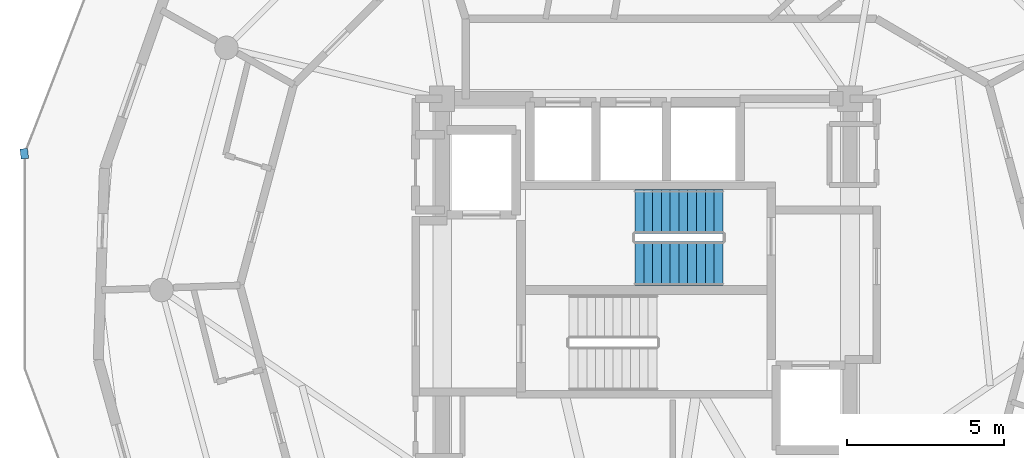
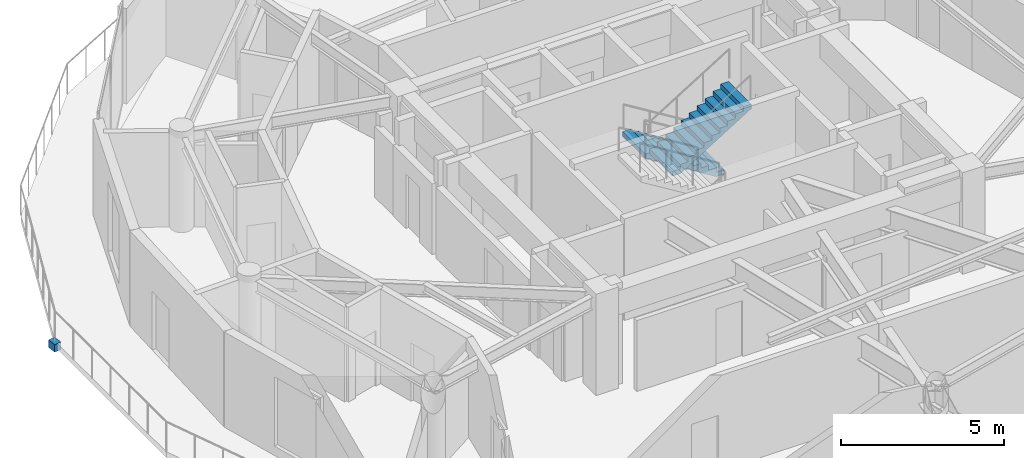
# One storey, part 14 of 16: 2 stair flights, 1 discrete accessory, 1 element without a shape of its own.
"""IFC4 building model written with IfcOpenShell, lengths in metres."""

import ifcopenshell
import ifcopenshell.guid

model = None  # the IFC model being written
_history = None  # IfcOwnerHistory: only IFC2X3 demands one
_inside = {}  # id of a spatial element -> (the spatial element, [elements in it])
_under = {}  # id of a project, library or spatial element -> (it, [spatial elements below it])
_declared = {}  # id of a project -> (the project, [libraries it declares])
_typed = {}  # id of a type object -> (the type object, [elements of that type])
_made_of = {}  # id of a material, layer set ... -> (it, [elements and type objects made of it])


def new_model(schema):
    """Start an empty IFC model of exactly this schema.

    Asked for "IFC4X3", IfcOpenShell would pick the latest addendum, in which some entities
    have other attributes; the version numbers below select the first issue.
    IFC2X3 requires an IfcOwnerHistory on every rooted entity: one is made here for all.
    """
    global model, _history
    if schema == "IFC4X3":
        model = ifcopenshell.file(schema_version=(4, 3, 0, 0))
    else:
        model = ifcopenshell.file(schema=schema)
    _inside.clear()
    _under.clear()
    _declared.clear()
    _typed.clear()
    _made_of.clear()
    _history = None
    if model.schema == "IFC2X3":
        org = make("IfcOrganization", Name="unknown")
        user = make(
            "IfcPersonAndOrganization",
            ThePerson=make("IfcPerson", FamilyName="unknown"),
            TheOrganization=org,
        )
        app = make(
            "IfcApplication",
            ApplicationDeveloper=org,
            Version="unknown",
            ApplicationFullName="unknown",
            ApplicationIdentifier="unknown",
        )
        _history = make(
            "IfcOwnerHistory",
            OwningUser=user,
            OwningApplication=app,
            ChangeAction="ADDED",
            CreationDate=0,
        )
    return model


def make(cls, **values):
    """One entity of the class cls with the attributes given. An attribute that is None is left unset."""
    return model.create_entity(
        cls, **{name: value for name, value in values.items() if value is not None}
    )


def rooted(cls, **values):
    """An entity with a GlobalId (a new one), such as an element, a storey or a relation."""
    return make(cls, GlobalId=ifcopenshell.guid.new(), OwnerHistory=_history, **values)


def si_unit(unit_type, name, prefix=None):
    """IfcSIUnit, for example si_unit("LENGTHUNIT", "METRE", prefix="MILLI")."""
    return make("IfcSIUnit", UnitType=unit_type, Prefix=prefix, Name=name)


def assignment(units):
    """IfcUnitAssignment: the units of a project."""
    return None if units is None else make("IfcUnitAssignment", Units=units)


def point(xyz):
    """IfcCartesianPoint."""
    return None if xyz is None else make("IfcCartesianPoint", Coordinates=xyz)


def direction(xyz):
    """IfcDirection."""
    return None if xyz is None else make("IfcDirection", DirectionRatios=xyz)


def frame(location, z_axis=None, x_axis=None):
    """IfcAxis2Placement3D, a coordinate frame: its origin and axes. An axis left out is left unset."""
    return make(
        "IfcAxis2Placement3D",
        Location=point(location),
        Axis=direction(z_axis),
        RefDirection=direction(x_axis),
    )


def frame_2d(location, x_axis=None):
    """IfcAxis2Placement2D, a coordinate frame in the plane: its origin and x axis."""
    return make(
        "IfcAxis2Placement2D", Location=point(location), RefDirection=direction(x_axis)
    )


def origin():
    """The frame at (0, 0, 0) with its axes left unset."""
    return frame((0.0, 0.0, 0.0))


def origin_2d():
    """The frame at (0, 0) in the plane with its x axis left unset."""
    return frame_2d((0.0, 0.0))


def place(relative_to, where):
    """IfcLocalPlacement: puts the frame where relative to a parent placement (None: the world)."""
    return make(
        "IfcLocalPlacement", PlacementRelTo=relative_to, RelativePlacement=where
    )


def context(
    kind, dimensions, precision=None, world=None, true_north=None, identifier=None
):
    """IfcGeometricRepresentationContext, for example the 3D "Model" context."""
    return make(
        "IfcGeometricRepresentationContext",
        ContextIdentifier=identifier,
        ContextType=kind,
        CoordinateSpaceDimension=dimensions,
        Precision=precision,
        WorldCoordinateSystem=world,
        TrueNorth=true_north,
    )


def subcontext(parent, identifier, kind, view, scale=None):
    """IfcGeometricRepresentationSubContext, for example "Body" below "Model"."""
    return make(
        "IfcGeometricRepresentationSubContext",
        ContextIdentifier=identifier,
        ContextType=kind,
        ParentContext=parent,
        TargetScale=scale,
        TargetView=view,
    )


def project(units=None, contexts=None):
    """IfcProject with its units and contexts."""
    return rooted(
        "IfcProject",
        Name="project",
        RepresentationContexts=contexts,
        UnitsInContext=assignment(units),
    )


def spatial(cls, under=None, at=None, **own):
    """A site, building, storey or space (cls), placed at a placement, below another one or the project."""
    s = rooted(cls, ObjectPlacement=at, **own)
    if under is not None:
        _under.setdefault(under.id(), (under, []))[1].append(s)
    return s


def polyline(points):
    """IfcPolyline through the points."""
    return make("IfcPolyline", Points=[point(p) for p in points])


def profile(cls, at=None, kind="AREA", **sizes):
    """A parametric profile (cls). Its sizes go by their IFC names, for example OverallWidth=200.0."""
    return make(cls, ProfileType=kind, Position=at, **sizes)


def rectangle(**sizes):
    """IfcRectangleProfileDef."""
    return profile("IfcRectangleProfileDef", **sizes)


def outline(outer, holes=None, kind="AREA"):
    """IfcArbitraryClosedProfileDef: a profile drawn as a closed curve; with holes, ...WithVoids."""
    if holes is None:
        return make("IfcArbitraryClosedProfileDef", ProfileType=kind, OuterCurve=outer)
    return make(
        "IfcArbitraryProfileDefWithVoids",
        ProfileType=kind,
        OuterCurve=outer,
        InnerCurves=holes,
    )


def extrude(swept, where, along, depth):
    """IfcExtrudedAreaSolid: the profile swept, set in the frame where, extruded along a direction by depth."""
    return make(
        "IfcExtrudedAreaSolid",
        SweptArea=swept,
        Position=where,
        ExtrudedDirection=direction(along),
        Depth=depth,
    )


def shape(context_of_items, identifier, shape_type, items):
    """IfcShapeRepresentation: the items that make up one representation, for example the "Body"."""
    return make(
        "IfcShapeRepresentation",
        ContextOfItems=context_of_items,
        RepresentationIdentifier=identifier,
        RepresentationType=shape_type,
        Items=items,
    )


def material(Name=None, Category=None):
    """IfcMaterial."""
    return make("IfcMaterial", Name=Name, Category=Category)


def made_of(thing, what):
    """Note that an element or type object is made of a material, layer set ...; save() writes the relation."""
    if what is not None:
        _made_of.setdefault(what.id(), (what, []))[1].append(thing)
    return thing


def type_object(cls, material=None, **own):
    """A type object (cls), such as IfcWallType, which elements share."""
    return made_of(rooted(cls, **own), material)


def element(
    cls,
    number,
    at=None,
    inside=None,
    cuts=None,
    type_object=None,
    material=None,
    context=None,
    identifier="Body",
    shape_type=None,
    held_by="IfcProductDefinitionShape",
    body=None,
    shapes=None,
    **own,
):
    """One element of the class cls, such as IfcWall. Its Tag is "e" and its number.

    at: its placement. inside: the storey or other place that contains it. cuts: it is an
    opening in that element (IfcRelVoidsElement). A single representation is given by context,
    identifier, shape_type and body (its items); several are given by shapes. held_by: the class
    of the entity that holds the representations. save() writes the other relations.
    """
    e = rooted(cls, Tag="e%d" % number, ObjectPlacement=at, **own)
    if body is not None:
        shapes = [shape(context, identifier, shape_type, body)]
    if shapes is not None:
        e.Representation = make(held_by, Representations=shapes)
    if inside is not None:
        _inside.setdefault(inside.id(), (inside, []))[1].append(e)
    if cuts is not None:
        rooted(
            "IfcRelVoidsElement", RelatingBuildingElement=cuts, RelatedOpeningElement=e
        )
    if type_object is not None:
        _typed.setdefault(type_object.id(), (type_object, []))[1].append(e)
    return made_of(e, material)


def aggregate(whole, parts):
    """IfcRelAggregates: a whole, such as a stair, and the parts it consists of."""
    return rooted("IfcRelAggregates", RelatingObject=whole, RelatedObjects=parts)


def save(model, path):
    """Write the relations noted so far, then the file.

    IfcRelAggregates (storeys below a building ...), IfcRelContainedInSpatialStructure (elements
    in a storey), IfcRelDefinesByType, IfcRelAssociatesMaterial and IfcRelDeclares: one each for
    every whole, place, type object, material and project.
    """
    for whole, parts in _under.values():
        aggregate(whole, parts)
    for where, things in _inside.values():
        rooted(
            "IfcRelContainedInSpatialStructure",
            RelatedElements=things,
            RelatingStructure=where,
        )
    for kind, things in _typed.values():
        rooted("IfcRelDefinesByType", RelatedObjects=things, RelatingType=kind)
    for what, things in _made_of.values():
        rooted("IfcRelAssociatesMaterial", RelatedObjects=things, RelatingMaterial=what)
    for by, libraries in _declared.values():
        rooted("IfcRelDeclares", RelatingContext=by, RelatedDefinitions=libraries)
    model.write(path)


model = new_model("IFC4")

# Units and contexts
model_context = context("Model", 3, precision=1e-05, world=origin(), true_north=direction((0.0, 1.0)))
body_context = subcontext(model_context, "Body", "Model", "MODEL_VIEW")
ifc_project = project(units=[si_unit("LENGTHUNIT", "METRE"), si_unit("AREAUNIT", "SQUARE_METRE"), si_unit("VOLUMEUNIT", "CUBIC_METRE"), si_unit("PLANEANGLEUNIT", "RADIAN"), si_unit("MASSUNIT", "GRAM", prefix="KILO")], contexts=[model_context])

# Site, building, storey
site_placement = place(None, origin())
site = spatial("IfcSite", under=ifc_project, at=site_placement, CompositionType="ELEMENT")
building_placement = place(site_placement, origin())
building = spatial("IfcBuilding", under=site, at=building_placement, Name="Solvirekh Grand Hotel", CompositionType="ELEMENT")
storey_placement = place(building_placement, frame((0.0, 0.0, 258.199951171875)))
storey = spatial("IfcBuildingStorey", under=building, at=storey_placement, Name="L67", CompositionType="ELEMENT", Elevation=258.199951171875)

# Stair, stair flights
ifc_material_1 = material(Name="Concrete C40/50", Category="concrete")
stair_type = type_object("IfcStairType", Name="Stair_Core_1450", PredefinedType="HALF_TURN_STAIR", material=ifc_material_1)
stair_placement = place(storey_placement, origin())
stair = element("IfcStair", 1, at=stair_placement, inside=storey, type_object=stair_type, Name="L67 Enclosed exit stair ST-2", PredefinedType="HALF_TURN_STAIR")
stair_flight_type = type_object("IfcStairFlightType", Name="Flight_Core_1450", PredefinedType="STRAIGHT", material=ifc_material_1)
stair_flight_1_placement = place(storey_placement, frame((2.449951171875, 2.5, 0.0), z_axis=(0.0, 0.0, 1.0), x_axis=(-1.0, 0.0, 0.0)))
stair_flight_1 = element("IfcStairFlight", 2, at=stair_flight_1_placement, type_object=stair_flight_type, Name="ST-2 flight 1", NumberOfRisers=11, NumberOfTreads=10, PredefinedType="STRAIGHT", RiserHeight=0.172727273, TreadLength=0.28, context=body_context, shape_type="SweptSolid", body=[
    extrude(outline(polyline([(0.0, 0.0), (0.0, 0.172607421875), (0.280029296875, 0.172607421875), (0.280029296875, 0.345458984375), (0.56005859375, 0.345458984375), (0.56005859375, 0.51806640625), (0.840087890625, 0.51806640625), (0.840087890625, 0.69091796875), (1.1201171875, 0.69091796875), (1.1201171875, 0.863525390625), (1.39990234375, 0.863525390625), (1.39990234375, 1.036376953125), (1.679931640625, 1.036376953125), (1.679931640625, 1.208984375), (1.9599609375, 1.208984375), (1.9599609375, 1.3818359375), (2.239990234375, 1.3818359375), (2.239990234375, 1.554443359375), (2.52001953125, 1.554443359375), (2.52001953125, 1.727294921875), (2.800048828125, 1.727294921875), (2.800048828125, 1.89990234375), (2.800048828125, 1.551025390625), (0.285400390625, 0.0), (0.0, 0.0)])), frame((0.0, 0.699951171875, 0.0), z_axis=(0.0, -1.0, 0.0), x_axis=(1.0, 0.0, 0.0)), (0.0, 0.0, 1.0), 1.39990234375),
])
stair_flight_2_placement = place(storey_placement, frame((-0.35009765625, 0.85009765625, 1.900146484375), z_axis=(0.0, 0.0, 1.0), x_axis=(1.0, 0.0, 0.0)))
stair_flight_2 = element("IfcStairFlight", 3, at=stair_flight_2_placement, type_object=stair_flight_type, Name="ST-2 flight 2", NumberOfRisers=11, NumberOfTreads=10, PredefinedType="STRAIGHT", RiserHeight=0.172727273, TreadLength=0.28, context=body_context, shape_type="SweptSolid", body=[
    extrude(outline(polyline([(0.0, 0.0), (0.0, 0.172607421875), (0.280029296875, 0.172607421875), (0.280029296875, 0.345458984375), (0.56005859375, 0.345458984375), (0.56005859375, 0.51806640625), (0.840087890625, 0.51806640625), (0.840087890625, 0.69091796875), (1.1201171875, 0.69091796875), (1.1201171875, 0.863525390625), (1.39990234375, 0.863525390625), (1.39990234375, 1.036376953125), (1.679931640625, 1.036376953125), (1.679931640625, 1.208984375), (1.9599609375, 1.208984375), (1.9599609375, 1.3818359375), (2.239990234375, 1.3818359375), (2.239990234375, 1.554443359375), (2.52001953125, 1.554443359375), (2.52001953125, 1.727294921875), (2.800048828125, 1.727294921875), (2.800048828125, 1.89990234375), (2.800048828125, 1.551025390625), (0.285400390625, 0.0), (0.0, 0.0)])), frame((0.0, 0.699951171875, 0.0), z_axis=(0.0, -1.0, 0.0), x_axis=(1.0, 0.0, 0.0)), (0.0, 0.0, 1.0), 1.39990234375),
])
aggregate(stair, [stair_flight_1, stair_flight_2])

# Discrete accessory
ifc_material_2 = material(Name="Steel S355", Category="steel")
discrete_accessory_type = type_object("IfcDiscreteAccessoryType", Name="Acc_ThermalBracket", PredefinedType="BRACKET", material=ifc_material_2)
discrete_accessory_placement = place(storey_placement, frame((-19.825927734375, 4.347900390625, -0.27978515625), z_axis=(0.0, 0.0, 1.0), x_axis=(0.118403968307, -0.992965508107, 0.0)))
element("IfcDiscreteAccessory", 4, at=discrete_accessory_placement, inside=storey, type_object=discrete_accessory_type, Name="L67 balcony thermal-break bracket", PredefinedType="BRACKET", context=body_context, shape_type="SweptSolid", body=[
    extrude(rectangle(XDim=0.320068359375, YDim=0.239990234375, at=origin_2d()), origin(), (0.0, 0.0, 1.0), 0.280029296875),
])

save(model, "model.ifc")
